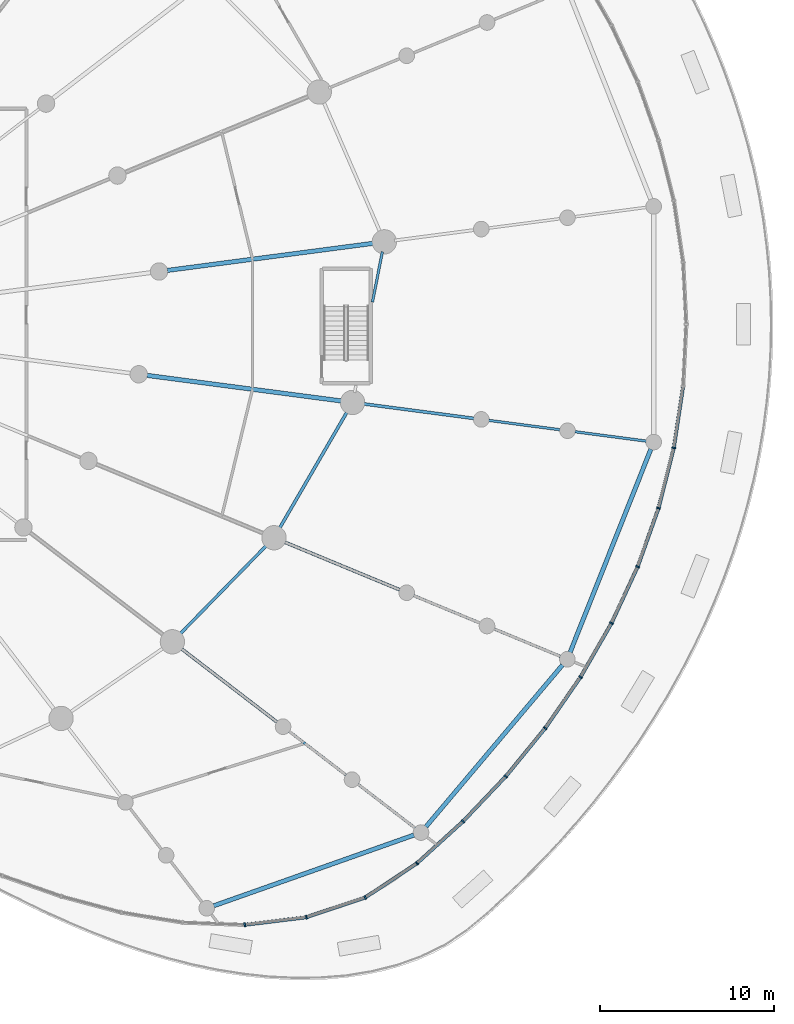
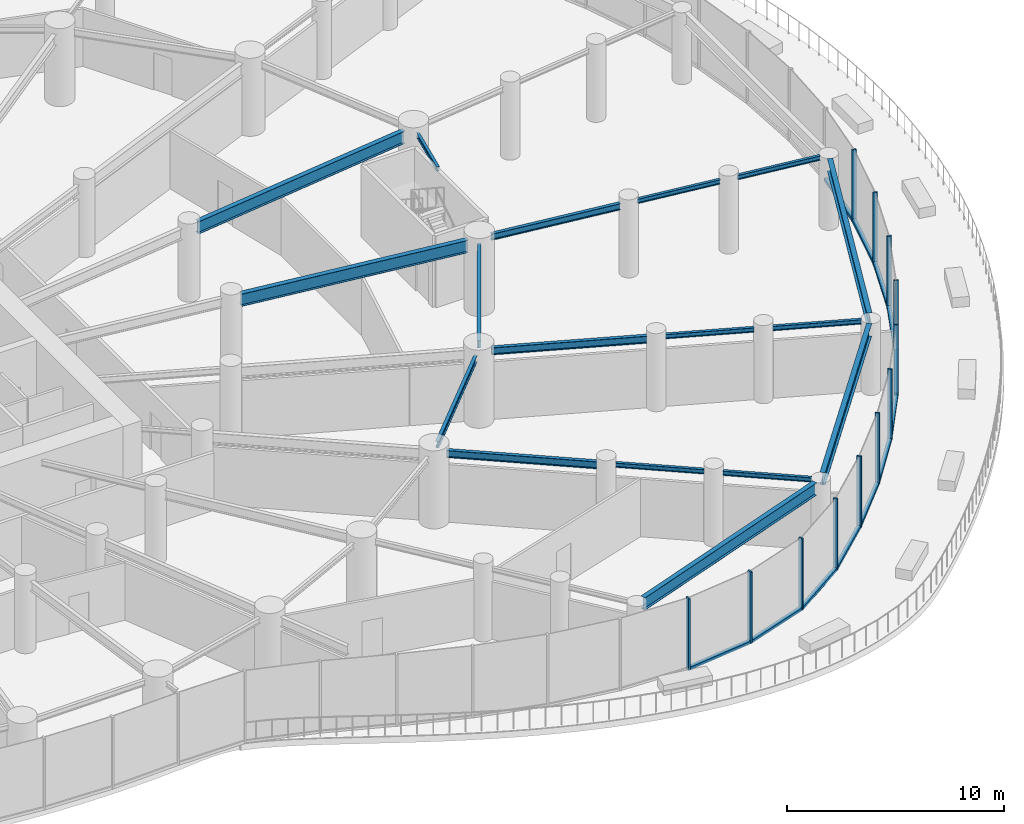
# One storey, part 7 of 24: 24 members, 17 beams, 3 elements without a shape of their own.
"""IFC4 building model written with IfcOpenShell, lengths in metres."""

from ifc_helpers import new_model, si_unit, direction, frame, origin, origin_2d, place, context, subcontext, project, spatial, rectangle, i_section, extrude, source, transform, mapped, material, layer, layer_set, material_profile, profile_set, type_object, element, aggregate, save


model = new_model("IFC4")

# Units and contexts
model_context = context("Model", 3, precision=1e-05, world=origin(), true_north=direction((0.0, 1.0)))
body_context = subcontext(model_context, "Body", "Model", "MODEL_VIEW")
ifc_project = project(units=[si_unit("LENGTHUNIT", "METRE"), si_unit("AREAUNIT", "SQUARE_METRE"), si_unit("VOLUMEUNIT", "CUBIC_METRE"), si_unit("PLANEANGLEUNIT", "RADIAN"), si_unit("MASSUNIT", "GRAM", prefix="KILO")], contexts=[model_context])

# Site, building, storey
site_placement = place(None, origin())
site = spatial("IfcSite", under=ifc_project, at=site_placement, CompositionType="ELEMENT")
building_placement = place(site_placement, origin())
building = spatial("IfcBuilding", under=site, at=building_placement, Name="Spindrift Exchange Tower", CompositionType="ELEMENT")
storey_placement = place(building_placement, frame((0.0, 0.0, 5.0)))
storey = spatial("IfcBuildingStorey", under=building, at=storey_placement, Name="L01", CompositionType="ELEMENT", Elevation=5.0)

# Beams
ifc_material_1 = material(Name="Steel Grade 300", Category="steel")
ifc_material_profile_1 = material_profile(ifc_material_1, i_section(OverallWidth=0.25, OverallDepth=0.699951171875, WebThickness=0.008056640625, FlangeThickness=0.011962890625, at=origin_2d()), Name="700WB115")
ifc_profile_set_1 = profile_set([ifc_material_profile_1], Name="Steel Grade 300")
beam_type_1 = type_object("IfcBeamType", Name="Floor Beam 700WB115 Steel Grade 300", PredefinedType="BEAM", material=ifc_profile_set_1)
shared_shape_1 = source(origin(), body_context, "Body", "SweptSolid", [
    extrude(i_section(OverallWidth=0.25, OverallDepth=0.699951171875, WebThickness=0.008056640625, FlangeThickness=0.011962890625, at=origin_2d()), origin(), (0.0, 0.0, 1.0), 12.00830078125),
])
beam_1_placement = place(storey_placement, frame((75.509765625, 51.09521484375, 3.699951171875), z_axis=(0.991444950947, 0.130525511844, 0.0), x_axis=(-0.130525511844, 0.991444950947, 0.0)))
element("IfcBeam", 1, at=beam_1_placement, inside=storey, type_object=beam_type_1, Name="L01 radial beam R01B", PredefinedType="BEAM", context=body_context, shape_type="MappedRepresentation", body=[
    mapped(shared_shape_1, transform((0.0, 0.0, 0.0), scale=1.0)),
])
ifc_material_profile_2 = material_profile(ifc_material_1, i_section(OverallWidth=0.14599609375, OverallDepth=0.251953125, WebThickness=0.006103515625, FlangeThickness=0.008544921875, FilletRadius=0.011962890625, at=origin_2d()), Name="250UB31.4")
ifc_profile_set_2 = profile_set([ifc_material_profile_2], Name="Steel Grade 300")
beam_type_2 = type_object("IfcBeamType", Name="Floor Beam 250UB31.4 Steel Grade 300", PredefinedType="BEAM", material=ifc_profile_set_2)
shared_shape_2 = source(origin(), body_context, "Body", "SweptSolid", [
    extrude(i_section(OverallWidth=0.14599609375, OverallDepth=0.251953125, WebThickness=0.006103515625, FlangeThickness=0.008544921875, FilletRadius=0.011962890625, at=origin_2d()), origin(), (0.0, 0.0, 1.0), 4.1396484375),
])
for number, where, z_axis, x_axis, name in (
    (2, (82.505859375, 24.592041015625, 3.924072265625), (0.793355694235, -0.608758361277, 0.0), (0.608758361277, 0.793355694235, 0.0), "L01 radial beam R22C2"),
    (3, (86.472412109375, 21.54833984375, 3.924072265625), (0.793355694235, -0.608758361277, 0.0), (0.608758361277, 0.793355694235, 0.0), "L01 radial beam R22C3"),
    (4, (93.99169921875, 42.4716796875, 3.924072265625), (0.991446465077, -0.130514010304, 0.0), (0.130514010304, 0.991446465077, 0.0), "L01 radial beam R24C2"),
    (5, (98.94873046875, 41.819091796875, 3.924072265625), (0.991446465077, -0.130514010304, 0.0), (0.130514010304, 0.991446465077, 0.0), "L01 radial beam R24C3"),
):
    element("IfcBeam", number, at=place(storey_placement, frame(where, z_axis=z_axis, x_axis=x_axis)), inside=storey, type_object=beam_type_2, Name=name, PredefinedType="BEAM", context=body_context, shape_type="MappedRepresentation", body=[
        mapped(shared_shape_2, transform((0.0, 0.0, 0.0), scale=1.0)),
    ])
shared_shape_3 = source(origin(), body_context, "Body", "SweptSolid", [
    extrude(i_section(OverallWidth=0.14599609375, OverallDepth=0.251953125, WebThickness=0.006103515625, FlangeThickness=0.008544921875, FilletRadius=0.011962890625, at=origin_2d()), origin(), (0.0, 0.0, 1.0), 4.139892578125),
])
for number, where, z_axis, x_axis, name in (
    (6, (89.671875, 32.395751953125, 3.924072265625), (0.923880985108, -0.382679925467, 0.0), (0.382679925467, 0.923880985108, 0.0), "L01 radial beam R23C2"),
    (7, (94.291015625, 30.482421875, 3.924072265625), (0.923880985108, -0.382679925467, 0.0), (0.382679925467, 0.923880985108, 0.0), "L01 radial beam R23C3"),
):
    element("IfcBeam", number, at=place(storey_placement, frame(where, z_axis=z_axis, x_axis=x_axis)), inside=storey, type_object=beam_type_2, Name=name, PredefinedType="BEAM", context=body_context, shape_type="MappedRepresentation", body=[
        mapped(shared_shape_3, transform((0.0, 0.0, 0.0), scale=1.0)),
    ])
shared_shape_4 = source(origin(), body_context, "Body", "SweptSolid", [
    extrude(i_section(OverallWidth=0.25, OverallDepth=0.699951171875, WebThickness=0.008056640625, FlangeThickness=0.011962890625, at=origin_2d()), origin(), (0.0, 0.0, 1.0), 11.34423828125),
])
beam_2_placement = place(storey_placement, frame((74.339111328125, 45.05908203125, 3.699951171875), z_axis=(0.991444770187, -0.130526884848, 0.0), x_axis=(0.130526884848, 0.991444770187, 0.0)))
element("IfcBeam", 8, at=beam_2_placement, inside=storey, type_object=beam_type_1, Name="L01 radial beam R24B", PredefinedType="BEAM", context=body_context, shape_type="MappedRepresentation", body=[
    mapped(shared_shape_4, transform((0.0, 0.0, 0.0), scale=1.0)),
])
ifc_material_profile_3 = material_profile(ifc_material_1, i_section(OverallWidth=0.177978515625, OverallDepth=0.406005859375, WebThickness=0.0078125, FlangeThickness=0.0126953125, FilletRadius=0.013916015625, at=origin_2d()), Name="410UB59.7")
ifc_profile_set_3 = profile_set([ifc_material_profile_3], Name="Steel Grade 300")
beam_type_3 = type_object("IfcBeamType", Name="Floor Beam 410UB59.7 Steel Grade 300", PredefinedType="BEAM", material=ifc_profile_set_3)
shared_shape_5 = source(origin(), body_context, "Body", "SweptSolid", [
    extrude(i_section(OverallWidth=0.177978515625, OverallDepth=0.406005859375, WebThickness=0.0078125, FlangeThickness=0.0126953125, FilletRadius=0.013916015625, at=origin_2d()), origin(), (0.0, 0.0, 1.0), 7.01171875),
])
beam_3_placement = place(storey_placement, frame((76.2607421875, 29.384033203125, 3.846923828125), z_axis=(0.79334569595, -0.608771391178, 0.0), x_axis=(0.608771391178, 0.79334569595, 0.0)))
element("IfcBeam", 9, at=beam_3_placement, inside=storey, type_object=beam_type_3, Name="L01 radial beam R22C1", PredefinedType="BEAM", context=body_context, shape_type="MappedRepresentation", body=[
    mapped(shared_shape_5, transform((0.0, 0.0, 0.0), scale=1.0)),
])
shared_shape_6 = source(origin(), body_context, "Body", "SweptSolid", [
    extrude(i_section(OverallWidth=0.177978515625, OverallDepth=0.406005859375, WebThickness=0.0078125, FlangeThickness=0.0126953125, FilletRadius=0.013916015625, at=origin_2d()), origin(), (0.0, 0.0, 1.0), 7.248779296875),
])
beam_4_placement = place(storey_placement, frame((82.180419921875, 35.498779296875, 3.846923828125), z_axis=(0.923883012274, -0.382675031368, 0.0), x_axis=(0.382675031368, 0.923883012274, 0.0)))
element("IfcBeam", 10, at=beam_4_placement, inside=storey, type_object=beam_type_3, Name="L01 radial beam R23C1", PredefinedType="BEAM", context=body_context, shape_type="MappedRepresentation", body=[
    mapped(shared_shape_6, transform((0.0, 0.0, 0.0), scale=1.0)),
])
ifc_material_profile_4 = material_profile(ifc_material_1, i_section(OverallWidth=0.172119140625, OverallDepth=0.35888671875, WebThickness=0.008056640625, FlangeThickness=0.012939453125, FilletRadius=0.013916015625, at=origin_2d()), Name="360UB56.7")
ifc_profile_set_4 = profile_set([ifc_material_profile_4], Name="Steel Grade 300")
beam_type_4 = type_object("IfcBeamType", Name="Floor Beam 360UB56.7 Steel Grade 300", PredefinedType="BEAM", material=ifc_profile_set_4)
shared_shape_7 = source(origin(), body_context, "Body", "SweptSolid", [
    extrude(i_section(OverallWidth=0.172119140625, OverallDepth=0.35888671875, WebThickness=0.008056640625, FlangeThickness=0.012939453125, FilletRadius=0.013916015625, at=origin_2d()), origin(), (0.0, 0.0, 1.0), 6.4580078125),
])
beam_5_placement = place(storey_placement, frame((86.736083984375, 43.427001953125, 3.87060546875), z_axis=(0.99144348369, -0.13053665634, 0.0), x_axis=(0.13053665634, 0.99144348369, 0.0)))
element("IfcBeam", 11, at=beam_5_placement, inside=storey, type_object=beam_type_4, Name="L01 radial beam R24C1", PredefinedType="BEAM", context=body_context, shape_type="MappedRepresentation", body=[
    mapped(shared_shape_7, transform((0.0, 0.0, 0.0), scale=1.0)),
])
ifc_material_profile_5 = material_profile(ifc_material_1, i_section(OverallWidth=0.172119140625, OverallDepth=0.35888671875, WebThickness=0.008056640625, FlangeThickness=0.012939453125, FilletRadius=0.013916015625, at=origin_2d()), Name="360UB56.7")
ifc_profile_set_5 = profile_set([ifc_material_profile_5], Name="Steel Grade 300")
beam_type_5 = type_object("IfcBeamType", Name="Edge Beam 360UB56.7 Steel Grade 300", PredefinedType="SPANDREL", material=ifc_profile_set_5)
shared_shape_8 = source(origin(), body_context, "Body", "SweptSolid", [
    extrude(i_section(OverallWidth=0.172119140625, OverallDepth=0.35888671875, WebThickness=0.008056640625, FlangeThickness=0.012939453125, FilletRadius=0.013916015625, at=origin_2d()), origin(), (0.0, 0.0, 1.0), 7.2041015625),
])
beam_6_placement = place(storey_placement, frame((76.205810546875, 30.152099609375, 3.87060546875), z_axis=(0.698703626006, 0.715411240481, 0.0), x_axis=(-0.715411240481, 0.698703626006, 0.0)))
element("IfcBeam", 12, at=beam_6_placement, inside=storey, type_object=beam_type_5, Name="L01 edge beam E22", PredefinedType="SPANDREL", context=body_context, shape_type="MappedRepresentation", body=[
    mapped(shared_shape_8, transform((0.0, 0.0, 0.0), scale=1.0)),
])
ifc_material_profile_6 = material_profile(ifc_material_1, i_section(OverallWidth=0.177978515625, OverallDepth=0.406005859375, WebThickness=0.0078125, FlangeThickness=0.0126953125, FilletRadius=0.013916015625, at=origin_2d()), Name="410UB59.7")
ifc_profile_set_6 = profile_set([ifc_material_profile_6], Name="Steel Grade 300")
beam_type_6 = type_object("IfcBeamType", Name="Edge Beam 410UB59.7 Steel Grade 300", PredefinedType="SPANDREL", material=ifc_profile_set_6)
shared_shape_9 = source(origin(), body_context, "Body", "SweptSolid", [
    extrude(i_section(OverallWidth=0.177978515625, OverallDepth=0.406005859375, WebThickness=0.0078125, FlangeThickness=0.0126953125, FilletRadius=0.013916015625, at=origin_2d()), origin(), (0.0, 0.0, 1.0), 7.837646484375),
])
beam_7_placement = place(storey_placement, frame((81.935791015625, 36.222412109375, 3.846923828125), z_axis=(0.50198145655, 0.864878382942, 0.0), x_axis=(-0.864878382942, 0.50198145655, 0.0)))
element("IfcBeam", 13, at=beam_7_placement, inside=storey, type_object=beam_type_6, Name="L01 edge beam E23", PredefinedType="SPANDREL", context=body_context, shape_type="MappedRepresentation", body=[
    mapped(shared_shape_9, transform((0.0, 0.0, 0.0), scale=1.0)),
])
ifc_material_profile_7 = material_profile(ifc_material_1, i_section(OverallWidth=0.14599609375, OverallDepth=0.251953125, WebThickness=0.006103515625, FlangeThickness=0.008544921875, FilletRadius=0.011962890625, at=origin_2d()), Name="250UB31.4")
ifc_profile_set_7 = profile_set([ifc_material_profile_7], Name="Steel Grade 300")
beam_type_7 = type_object("IfcBeamType", Name="Edge Beam 250UB31.4 Steel Grade 300", PredefinedType="SPANDREL", material=ifc_profile_set_7)
shared_shape_10 = source(origin(), body_context, "Body", "SweptSolid", [
    extrude(i_section(OverallWidth=0.14599609375, OverallDepth=0.251953125, WebThickness=0.006103515625, FlangeThickness=0.008544921875, FilletRadius=0.011962890625, at=origin_2d()), origin(), (0.0, 0.0, 1.0), 2.953369140625),
])
beam_8_placement = place(storey_placement, frame((87.303955078125, 49.27197265625, 3.924072265625), z_axis=(0.194255885589, 0.980950891184, 0.0), x_axis=(-0.980950891184, 0.194255885589, 0.0)))
element("IfcBeam", 14, at=beam_8_placement, inside=storey, type_object=beam_type_7, Name="L01 edge beam E24b", PredefinedType="SPANDREL", context=body_context, shape_type="MappedRepresentation", body=[
    mapped(shared_shape_10, transform((0.0, 0.0, 0.0), scale=1.0)),
])
ifc_material_profile_8 = material_profile(ifc_material_1, i_section(OverallWidth=0.25, OverallDepth=0.699951171875, WebThickness=0.008056640625, FlangeThickness=0.011962890625, at=origin_2d()), Name="700WB115")
ifc_profile_set_8 = profile_set([ifc_material_profile_8], Name="Steel Grade 300")
beam_type_8 = type_object("IfcBeamType", Name="Edge Beam 700WB115 Steel Grade 300", PredefinedType="SPANDREL", material=ifc_profile_set_8)
shared_shape_11 = source(origin(), body_context, "Body", "SweptSolid", [
    extrude(i_section(OverallWidth=0.25, OverallDepth=0.699951171875, WebThickness=0.008056640625, FlangeThickness=0.011962890625, at=origin_2d()), origin(), (0.0, 0.0, 1.0), 12.580078125),
])
beam_9_placement = place(storey_placement, frame((98.672119140625, 29.13330078125, 3.699951171875), z_axis=(0.369509442432, 0.929226975477, 0.0), x_axis=(-0.929226975477, 0.369509442432, 0.0)))
element("IfcBeam", 15, at=beam_9_placement, inside=storey, type_object=beam_type_8, Name="L01 cascade edge beam G23", PredefinedType="SPANDREL", context=body_context, shape_type="MappedRepresentation", body=[
    mapped(shared_shape_11, transform((0.0, 0.0, 0.0), scale=1.0)),
])
shared_shape_12 = source(origin(), body_context, "Body", "SweptSolid", [
    extrude(i_section(OverallWidth=0.25, OverallDepth=0.699951171875, WebThickness=0.008056640625, FlangeThickness=0.011962890625, at=origin_2d()), origin(), (0.0, 0.0, 1.0), 12.184326171875),
])
beam_10_placement = place(storey_placement, frame((90.375244140625, 19.09521484375, 3.699951171875), z_axis=(0.645119993508, 0.764081274457, 0.0), x_axis=(-0.764081274457, 0.645119993508, 0.0)))
element("IfcBeam", 16, at=beam_10_placement, inside=storey, type_object=beam_type_8, Name="L01 cascade edge beam G22", PredefinedType="SPANDREL", context=body_context, shape_type="MappedRepresentation", body=[
    mapped(shared_shape_12, transform((0.0, 0.0, 0.0), scale=1.0)),
])
shared_shape_13 = source(origin(), body_context, "Body", "SweptSolid", [
    extrude(i_section(OverallWidth=0.25, OverallDepth=0.699951171875, WebThickness=0.008056640625, FlangeThickness=0.011962890625, at=origin_2d()), origin(), (0.0, 0.0, 1.0), 12.211669921875),
])
beam_11_placement = place(storey_placement, frame((78.17822265625, 14.55517578125, 3.699951171875), z_axis=(0.942879923887, 0.333132780029, 0.0), x_axis=(-0.333132780029, 0.942879923887, 0.0)))
element("IfcBeam", 17, at=beam_11_placement, inside=storey, type_object=beam_type_8, Name="L01 cascade edge beam G21", PredefinedType="SPANDREL", context=body_context, shape_type="MappedRepresentation", body=[
    mapped(shared_shape_13, transform((0.0, 0.0, 0.0), scale=1.0)),
])

# Curtain wall, member
ifc_material_2 = material(Name="Fritted laminated glass with bronze frame", Category="glass")
ifc_layer = layer(ifc_material_2, 0.219970703125)
ifc_layer_set = layer_set([ifc_layer], Name="PODIUM BRONZE GLAZED WALL")
curtain_wall_type = type_object("IfcCurtainWallType", Name="PODIUM BRONZE GLAZED WALL", PredefinedType="NOTDEFINED", material=ifc_layer_set)
curtain_wall_1_placement = place(storey_placement, origin())
curtain_wall_1 = element("IfcCurtainWall", 18, at=curtain_wall_1_placement, inside=storey, type_object=curtain_wall_type, Name="L01 Podium Bronze Glazed Wall run 10", PredefinedType="NOTDEFINED")
ifc_material_3 = material(Name="Bronze anodised aluminium", Category="aluminium")
ifc_material_profile_9 = material_profile(ifc_material_3, rectangle(XDim=0.090087890625, YDim=0.219970703125, at=origin_2d()), Name="PODIUM BRONZE GLAZED WALL MULLION 90X220")
ifc_profile_set_9 = profile_set([ifc_material_profile_9], Name="Bronze anodised aluminium")
member_type_1 = type_object("IfcMemberType", Name="PODIUM BRONZE GLAZED WALL MULLION 90X220", PredefinedType="MULLION", material=ifc_profile_set_9)
shared_shape_14 = source(origin(), body_context, "Body", "SweptSolid", [
    extrude(rectangle(XDim=0.090087890625, YDim=0.219970703125, at=origin_2d()), origin(), (0.0, 0.0, 1.0), 4.050048828125),
])
member_1_placement = place(storey_placement, frame((79.962890625, 13.463134765625, 0.0), z_axis=(0.0, 0.0, 1.0), x_axis=(0.999093765035, 0.042563466351, 0.0)))
member_1 = element("IfcMember", 19, at=member_1_placement, type_object=member_type_1, Name="L01 mullion CW-P.60", PredefinedType="MULLION", context=body_context, shape_type="MappedRepresentation", body=[
    mapped(shared_shape_14, transform((0.0, 0.0, 0.0), scale=1.0)),
])

# Curtain wall, members
curtain_wall_2_placement = place(storey_placement, origin())
curtain_wall_2 = element("IfcCurtainWall", 20, at=curtain_wall_2_placement, inside=storey, type_object=curtain_wall_type, Name="L01 Podium Bronze Glazed Wall run 11", PredefinedType="NOTDEFINED")
member_2_placement = place(storey_placement, frame((83.5087890625, 13.899658203125, 0.0), z_axis=(0.0, 0.0, 1.0), x_axis=(0.97520666879, 0.22129607576, 0.0)))
member_2 = element("IfcMember", 21, at=member_2_placement, type_object=member_type_1, Name="L01 mullion CW-P.61", PredefinedType="MULLION", context=body_context, shape_type="MappedRepresentation", body=[
    mapped(shared_shape_14, transform((0.0, 0.0, 0.0), scale=1.0)),
])
member_3_placement = place(storey_placement, frame((86.89208984375, 15.03515625, 0.0), z_axis=(0.0, 0.0, 1.0), x_axis=(0.898738305686, 0.438485413546, 0.0)))
member_3 = element("IfcMember", 22, at=member_3_placement, type_object=member_type_1, Name="L01 mullion CW-P.62", PredefinedType="MULLION", context=body_context, shape_type="MappedRepresentation", body=[
    mapped(shared_shape_14, transform((0.0, 0.0, 0.0), scale=1.0)),
])
member_4_placement = place(storey_placement, frame((89.8662109375, 17.000732421875, 0.0), z_axis=(0.0, 0.0, 1.0), x_axis=(0.7893326138, 0.613965817282, 0.0)))
member_4 = element("IfcMember", 23, at=member_4_placement, type_object=member_type_1, Name="L01 mullion CW-P.63", PredefinedType="MULLION", context=body_context, shape_type="MappedRepresentation", body=[
    mapped(shared_shape_14, transform((0.0, 0.0, 0.0), scale=1.0)),
])
member_5_placement = place(storey_placement, frame((92.511962890625, 19.407470703125, 0.0), z_axis=(0.0, 0.0, 1.0), x_axis=(0.714910637683, 0.699215832292, 0.0)))
member_5 = element("IfcMember", 24, at=member_5_placement, type_object=member_type_1, Name="L01 mullion CW-P.64", PredefinedType="MULLION", context=body_context, shape_type="MappedRepresentation", body=[
    mapped(shared_shape_14, transform((0.0, 0.0, 0.0), scale=1.0)),
])
member_6_placement = place(storey_placement, frame((94.976806640625, 21.999267578125, 0.0), z_axis=(0.0, 0.0, 1.0), x_axis=(0.661218736963, 0.750193163051, 0.0)))
member_6 = element("IfcMember", 25, at=member_6_placement, type_object=member_type_1, Name="L01 mullion CW-P.65", PredefinedType="MULLION", context=body_context, shape_type="MappedRepresentation", body=[
    mapped(shared_shape_14, transform((0.0, 0.0, 0.0), scale=1.0)),
])
member_7_placement = place(storey_placement, frame((97.238525390625, 24.77001953125, 0.0), z_axis=(0.0, 0.0, 1.0), x_axis=(0.601028509407, 0.799227583908, 0.0)))
member_7 = element("IfcMember", 26, at=member_7_placement, type_object=member_type_1, Name="L01 mullion CW-P.66", PredefinedType="MULLION", context=body_context, shape_type="MappedRepresentation", body=[
    mapped(shared_shape_14, transform((0.0, 0.0, 0.0), scale=1.0)),
])

curtain_wall_3_placement = place(storey_placement, origin())
curtain_wall_3 = element("IfcCurtainWall", 27, at=curtain_wall_3_placement, inside=storey, type_object=curtain_wall_type, Name="L01 Podium Bronze Glazed Wall run 12", PredefinedType="NOTDEFINED")
member_8_placement = place(storey_placement, frame((99.272705078125, 27.711669921875, 0.0), z_axis=(0.0, 0.0, 1.0), x_axis=(0.533934609446, 0.845525773017, 0.0)))
member_8 = element("IfcMember", 28, at=member_8_placement, type_object=member_type_1, Name="L01 mullion CW-P.67", PredefinedType="MULLION", context=body_context, shape_type="MappedRepresentation", body=[
    mapped(shared_shape_14, transform((0.0, 0.0, 0.0), scale=1.0)),
])
member_9_placement = place(storey_placement, frame((101.05419921875, 30.8125, 0.0), z_axis=(0.0, 0.0, 1.0), x_axis=(0.459730080387, 0.888058699179, 0.0)))
member_9 = element("IfcMember", 29, at=member_9_placement, type_object=member_type_1, Name="L01 mullion CW-P.68", PredefinedType="MULLION", context=body_context, shape_type="MappedRepresentation", body=[
    mapped(shared_shape_14, transform((0.0, 0.0, 0.0), scale=1.0)),
])
member_10_placement = place(storey_placement, frame((102.557861328125, 34.057373046875, 0.0), z_axis=(0.0, 0.0, 1.0), x_axis=(0.378512151379, 0.925596321977, 0.0)))
member_10 = element("IfcMember", 30, at=member_10_placement, type_object=member_type_1, Name="L01 mullion CW-P.69", PredefinedType="MULLION", context=body_context, shape_type="MappedRepresentation", body=[
    mapped(shared_shape_14, transform((0.0, 0.0, 0.0), scale=1.0)),
])
member_11_placement = place(storey_placement, frame((103.7587890625, 37.42578125, 0.0), z_axis=(0.0, 0.0, 1.0), x_axis=(0.29076245768, 0.956795272357, 0.0)))
member_11 = element("IfcMember", 31, at=member_11_placement, type_object=member_type_1, Name="L01 mullion CW-P.70", PredefinedType="MULLION", context=body_context, shape_type="MappedRepresentation", body=[
    mapped(shared_shape_14, transform((0.0, 0.0, 0.0), scale=1.0)),
])
member_12_placement = place(storey_placement, frame((104.635009765625, 40.892578125, 0.0), z_axis=(0.0, 0.0, 1.0), x_axis=(0.197470140413, 0.980308902156, 0.0)))
member_12 = element("IfcMember", 32, at=member_12_placement, type_object=member_type_1, Name="L01 mullion CW-P.71", PredefinedType="MULLION", context=body_context, shape_type="MappedRepresentation", body=[
    mapped(shared_shape_14, transform((0.0, 0.0, 0.0), scale=1.0)),
])
ifc_material_profile_10 = material_profile(ifc_material_3, rectangle(XDim=0.199951171875, YDim=0.159912109375, at=origin_2d()), Name="PODIUM BRONZE GLAZED WALL TRANSOM 200X160")
ifc_profile_set_10 = profile_set([ifc_material_profile_10], Name="Bronze anodised aluminium")
member_type_2 = type_object("IfcMemberType", Name="PODIUM BRONZE GLAZED WALL TRANSOM 200X160", PredefinedType="USERDEFINED", material=ifc_profile_set_10)
shared_shape_15 = source(origin(), body_context, "Body", "SweptSolid", [
    extrude(rectangle(XDim=0.199951171875, YDim=0.159912109375, at=origin_2d()), origin(), (0.0, 0.0, 1.0), 3.486083984375),
])
member_13_placement = place(storey_placement, frame((101.0732421875, 30.853515625, 0.080078125), z_axis=(0.420403360541, 0.907337321202, 0.0), x_axis=(-0.907337321202, 0.420403360541, 0.0)))
member_13 = element("IfcMember", 33, at=member_13_placement, type_object=member_type_2, Name="L01 transom CW-P.68", ObjectType="TRANSOM", PredefinedType="USERDEFINED", context=body_context, shape_type="MappedRepresentation", body=[
    mapped(shared_shape_15, transform((0.0, 0.0, 0.0), scale=1.0)),
])
shared_shape_16 = source(origin(), body_context, "Body", "SweptSolid", [
    extrude(rectangle(XDim=0.199951171875, YDim=0.159912109375, at=origin_2d()), origin(), (0.0, 0.0, 1.0), 3.48583984375),
])
member_14_placement = place(storey_placement, frame((102.572998046875, 34.099853515625, 0.080078125), z_axis=(0.335826125296, 0.941923995643, 0.0), x_axis=(-0.941923995643, 0.335826125296, 0.0)))
member_14 = element("IfcMember", 34, at=member_14_placement, type_object=member_type_2, Name="L01 transom CW-P.69", ObjectType="TRANSOM", PredefinedType="USERDEFINED", context=body_context, shape_type="MappedRepresentation", body=[
    mapped(shared_shape_16, transform((0.0, 0.0, 0.0), scale=1.0)),
])
member_15_placement = place(storey_placement, frame((103.769775390625, 37.469482421875, 0.080078125), z_axis=(0.245056103396, 0.969508899489, 0.0), x_axis=(-0.969508899489, 0.245056103396, 0.0)))
member_15 = element("IfcMember", 35, at=member_15_placement, type_object=member_type_2, Name="L01 transom CW-P.70", ObjectType="TRANSOM", PredefinedType="USERDEFINED", context=body_context, shape_type="MappedRepresentation", body=[
    mapped(shared_shape_16, transform((0.0, 0.0, 0.0), scale=1.0)),
])
member_16_placement = place(storey_placement, frame((104.641845703125, 40.937255859375, 0.080078125), z_axis=(0.149388352053, 0.988778600229, 0.0), x_axis=(-0.988778600229, 0.149388352053, 0.0)))
member_16 = element("IfcMember", 36, at=member_16_placement, type_object=member_type_2, Name="L01 transom CW-P.71", ObjectType="TRANSOM", PredefinedType="USERDEFINED", context=body_context, shape_type="MappedRepresentation", body=[
    mapped(shared_shape_16, transform((0.0, 0.0, 0.0), scale=1.0)),
])

# Member
shared_shape_17 = source(origin(), body_context, "Body", "SweptSolid", [
    extrude(rectangle(XDim=0.199951171875, YDim=0.159912109375, at=origin_2d()), origin(), (0.0, 0.0, 1.0), 3.486328125),
])
member_17_placement = place(storey_placement, frame((95.00537109375, 22.0341796875, 0.080078125), z_axis=(0.632333608818, 0.77469620314, 0.0), x_axis=(-0.77469620314, 0.632333608818, 0.0)))
member_17 = element("IfcMember", 37, at=member_17_placement, type_object=member_type_2, Name="L01 transom CW-P.65", ObjectType="TRANSOM", PredefinedType="USERDEFINED", context=body_context, shape_type="MappedRepresentation", body=[
    mapped(shared_shape_17, transform((0.0, 0.0, 0.0), scale=1.0)),
])

member_18_placement = place(storey_placement, frame((97.26416015625, 24.80712890625, 0.080078125), z_axis=(0.568776559541, 0.822492082222, 0.0), x_axis=(-0.822492082222, 0.568776559541, 0.0)))
member_18 = element("IfcMember", 38, at=member_18_placement, type_object=member_type_2, Name="L01 transom CW-P.66", ObjectType="TRANSOM", PredefinedType="USERDEFINED", context=body_context, shape_type="MappedRepresentation", body=[
    mapped(shared_shape_17, transform((0.0, 0.0, 0.0), scale=1.0)),
])

member_19_placement = place(storey_placement, frame((99.295166015625, 27.750732421875, 0.080078125), z_axis=(0.498173750547, 0.867077225088, 0.0), x_axis=(-0.867077225088, 0.498173750547, 0.0)))
member_19 = element("IfcMember", 39, at=member_19_placement, type_object=member_type_2, Name="L01 transom CW-P.67", ObjectType="TRANSOM", PredefinedType="USERDEFINED", context=body_context, shape_type="MappedRepresentation", body=[
    mapped(shared_shape_17, transform((0.0, 0.0, 0.0), scale=1.0)),
])

aggregate(curtain_wall_3, [member_8, member_19, member_9, member_13, member_10, member_14, member_11, member_15, member_12, member_16])

shared_shape_18 = source(origin(), body_context, "Body", "SweptSolid", [
    extrude(rectangle(XDim=0.199951171875, YDim=0.159912109375, at=origin_2d()), origin(), (0.0, 0.0, 1.0), 3.48681640625),
])
member_20_placement = place(storey_placement, frame((89.8994140625, 17.031005859375, 0.080078125), z_axis=(0.739749947219, 0.672881873429, 0.0), x_axis=(-0.672881873429, 0.739749947219, 0.0)))
member_20 = element("IfcMember", 40, at=member_20_placement, type_object=member_type_2, Name="L01 transom CW-P.63", ObjectType="TRANSOM", PredefinedType="USERDEFINED", context=body_context, shape_type="MappedRepresentation", body=[
    mapped(shared_shape_18, transform((0.0, 0.0, 0.0), scale=1.0)),
])

shared_shape_19 = source(origin(), body_context, "Body", "SweptSolid", [
    extrude(rectangle(XDim=0.199951171875, YDim=0.159912109375, at=origin_2d()), origin(), (0.0, 0.0, 1.0), 3.474853515625),
])
member_21_placement = place(storey_placement, frame((86.9296875, 15.059814453125, 0.080078125), z_axis=(0.83424875447, 0.551388262176, 0.0), x_axis=(-0.551388262176, 0.83424875447, 0.0)))
member_21 = element("IfcMember", 41, at=member_21_placement, type_object=member_type_2, Name="L01 transom CW-P.62", ObjectType="TRANSOM", PredefinedType="USERDEFINED", context=body_context, shape_type="MappedRepresentation", body=[
    mapped(shared_shape_19, transform((0.0, 0.0, 0.0), scale=1.0)),
])

shared_shape_20 = source(origin(), body_context, "Body", "SweptSolid", [
    extrude(rectangle(XDim=0.199951171875, YDim=0.159912109375, at=origin_2d()), origin(), (0.0, 0.0, 1.0), 3.47900390625),
])
member_22_placement = place(storey_placement, frame((83.551513671875, 13.913818359375, 0.080078125), z_axis=(0.948028626286, 0.318185046383, 0.0), x_axis=(-0.318185046383, 0.948028626286, 0.0)))
member_22 = element("IfcMember", 42, at=member_22_placement, type_object=member_type_2, Name="L01 transom CW-P.61", ObjectType="TRANSOM", PredefinedType="USERDEFINED", context=body_context, shape_type="MappedRepresentation", body=[
    mapped(shared_shape_20, transform((0.0, 0.0, 0.0), scale=1.0)),
])

shared_shape_21 = source(origin(), body_context, "Body", "SweptSolid", [
    extrude(rectangle(XDim=0.199951171875, YDim=0.159912109375, at=origin_2d()), origin(), (0.0, 0.0, 1.0), 3.48291015625),
])
member_23_placement = place(storey_placement, frame((80.007568359375, 13.468505859375, 0.080078125), z_axis=(0.992508003407, 0.122179634857, 0.0), x_axis=(-0.122179634857, 0.992508003407, 0.0)))
member_23 = element("IfcMember", 43, at=member_23_placement, type_object=member_type_2, Name="L01 transom CW-P.60", ObjectType="TRANSOM", PredefinedType="USERDEFINED", context=body_context, shape_type="MappedRepresentation", body=[
    mapped(shared_shape_21, transform((0.0, 0.0, 0.0), scale=1.0)),
])

aggregate(curtain_wall_1, [member_1, member_23])

shared_shape_22 = source(origin(), body_context, "Body", "SweptSolid", [
    extrude(rectangle(XDim=0.199951171875, YDim=0.159912109375, at=origin_2d()), origin(), (0.0, 0.0, 1.0), 3.486572265625),
])
member_24_placement = place(storey_placement, frame((92.54296875, 19.440185546875, 0.080078125), z_axis=(0.689168934046, 0.724600704075, 0.0), x_axis=(-0.724600704075, 0.689168934046, 0.0)))
member_24 = element("IfcMember", 44, at=member_24_placement, type_object=member_type_2, Name="L01 transom CW-P.64", ObjectType="TRANSOM", PredefinedType="USERDEFINED", context=body_context, shape_type="MappedRepresentation", body=[
    mapped(shared_shape_22, transform((0.0, 0.0, 0.0), scale=1.0)),
])

aggregate(curtain_wall_2, [member_2, member_22, member_3, member_21, member_4, member_20, member_5, member_24, member_6, member_17, member_7, member_18])

save(model, "model.ifc")
